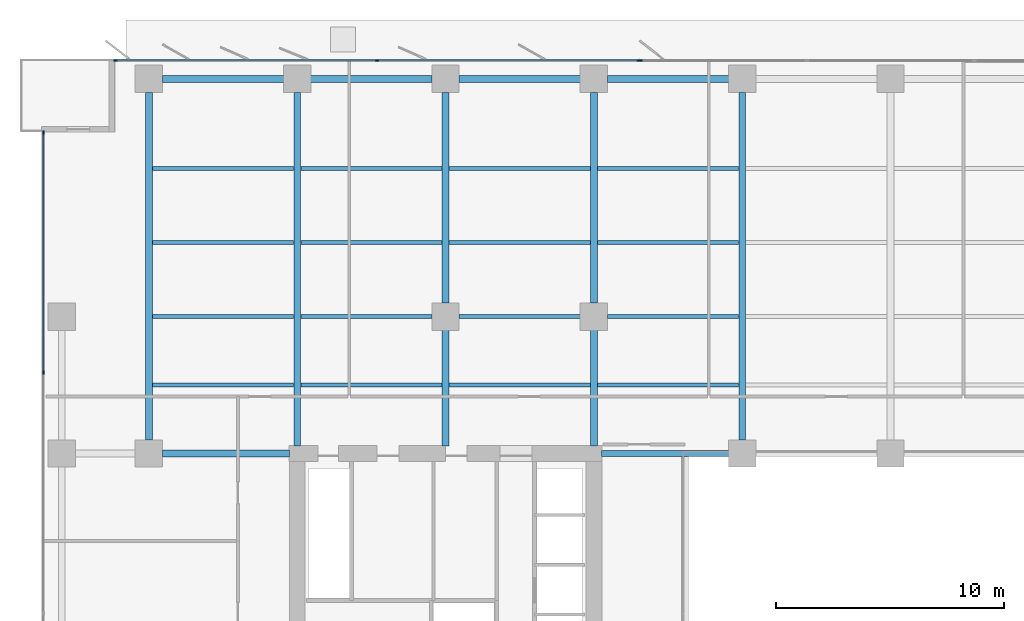
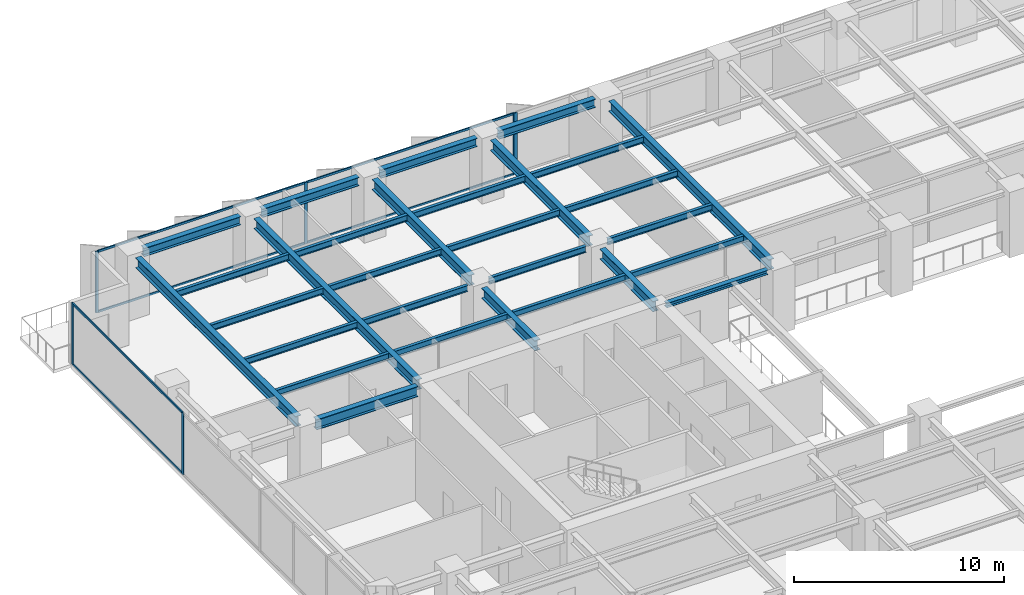
# One storey, part 7 of 19: 29 beams, 12 members, 3 elements without a shape of their own.
"""IFC4 building model written with IfcOpenShell, lengths in metres."""

import ifcopenshell
import ifcopenshell.guid

model = None  # the IFC model being written
_history = None  # IfcOwnerHistory: only IFC2X3 demands one
_inside = {}  # id of a spatial element -> (the spatial element, [elements in it])
_under = {}  # id of a project, library or spatial element -> (it, [spatial elements below it])
_declared = {}  # id of a project -> (the project, [libraries it declares])
_typed = {}  # id of a type object -> (the type object, [elements of that type])
_made_of = {}  # id of a material, layer set ... -> (it, [elements and type objects made of it])


def new_model(schema):
    """Start an empty IFC model of exactly this schema.

    Asked for "IFC4X3", IfcOpenShell would pick the latest addendum, in which some entities
    have other attributes; the version numbers below select the first issue.
    IFC2X3 requires an IfcOwnerHistory on every rooted entity: one is made here for all.
    """
    global model, _history
    if schema == "IFC4X3":
        model = ifcopenshell.file(schema_version=(4, 3, 0, 0))
    else:
        model = ifcopenshell.file(schema=schema)
    _inside.clear()
    _under.clear()
    _declared.clear()
    _typed.clear()
    _made_of.clear()
    _history = None
    if model.schema == "IFC2X3":
        org = make("IfcOrganization", Name="unknown")
        user = make(
            "IfcPersonAndOrganization",
            ThePerson=make("IfcPerson", FamilyName="unknown"),
            TheOrganization=org,
        )
        app = make(
            "IfcApplication",
            ApplicationDeveloper=org,
            Version="unknown",
            ApplicationFullName="unknown",
            ApplicationIdentifier="unknown",
        )
        _history = make(
            "IfcOwnerHistory",
            OwningUser=user,
            OwningApplication=app,
            ChangeAction="ADDED",
            CreationDate=0,
        )
    return model


def make(cls, **values):
    """One entity of the class cls with the attributes given. An attribute that is None is left unset."""
    return model.create_entity(
        cls, **{name: value for name, value in values.items() if value is not None}
    )


def rooted(cls, **values):
    """An entity with a GlobalId (a new one), such as an element, a storey or a relation."""
    return make(cls, GlobalId=ifcopenshell.guid.new(), OwnerHistory=_history, **values)


def si_unit(unit_type, name, prefix=None):
    """IfcSIUnit, for example si_unit("LENGTHUNIT", "METRE", prefix="MILLI")."""
    return make("IfcSIUnit", UnitType=unit_type, Prefix=prefix, Name=name)


def assignment(units):
    """IfcUnitAssignment: the units of a project."""
    return None if units is None else make("IfcUnitAssignment", Units=units)


def point(xyz):
    """IfcCartesianPoint."""
    return None if xyz is None else make("IfcCartesianPoint", Coordinates=xyz)


def direction(xyz):
    """IfcDirection."""
    return None if xyz is None else make("IfcDirection", DirectionRatios=xyz)


def frame(location, z_axis=None, x_axis=None):
    """IfcAxis2Placement3D, a coordinate frame: its origin and axes. An axis left out is left unset."""
    return make(
        "IfcAxis2Placement3D",
        Location=point(location),
        Axis=direction(z_axis),
        RefDirection=direction(x_axis),
    )


def frame_2d(location, x_axis=None):
    """IfcAxis2Placement2D, a coordinate frame in the plane: its origin and x axis."""
    return make(
        "IfcAxis2Placement2D", Location=point(location), RefDirection=direction(x_axis)
    )


def origin():
    """The frame at (0, 0, 0) with its axes left unset."""
    return frame((0.0, 0.0, 0.0))


def origin_2d():
    """The frame at (0, 0) in the plane with its x axis left unset."""
    return frame_2d((0.0, 0.0))


def place(relative_to, where):
    """IfcLocalPlacement: puts the frame where relative to a parent placement (None: the world)."""
    return make(
        "IfcLocalPlacement", PlacementRelTo=relative_to, RelativePlacement=where
    )


def context(
    kind, dimensions, precision=None, world=None, true_north=None, identifier=None
):
    """IfcGeometricRepresentationContext, for example the 3D "Model" context."""
    return make(
        "IfcGeometricRepresentationContext",
        ContextIdentifier=identifier,
        ContextType=kind,
        CoordinateSpaceDimension=dimensions,
        Precision=precision,
        WorldCoordinateSystem=world,
        TrueNorth=true_north,
    )


def subcontext(parent, identifier, kind, view, scale=None):
    """IfcGeometricRepresentationSubContext, for example "Body" below "Model"."""
    return make(
        "IfcGeometricRepresentationSubContext",
        ContextIdentifier=identifier,
        ContextType=kind,
        ParentContext=parent,
        TargetScale=scale,
        TargetView=view,
    )


def project(units=None, contexts=None):
    """IfcProject with its units and contexts."""
    return rooted(
        "IfcProject",
        Name="project",
        RepresentationContexts=contexts,
        UnitsInContext=assignment(units),
    )


def spatial(cls, under=None, at=None, **own):
    """A site, building, storey or space (cls), placed at a placement, below another one or the project."""
    s = rooted(cls, ObjectPlacement=at, **own)
    if under is not None:
        _under.setdefault(under.id(), (under, []))[1].append(s)
    return s


def profile(cls, at=None, kind="AREA", **sizes):
    """A parametric profile (cls). Its sizes go by their IFC names, for example OverallWidth=200.0."""
    return make(cls, ProfileType=kind, Position=at, **sizes)


def rectangle(**sizes):
    """IfcRectangleProfileDef."""
    return profile("IfcRectangleProfileDef", **sizes)


def i_section(**sizes):
    """IfcIShapeProfileDef."""
    return profile("IfcIShapeProfileDef", **sizes)


def extrude(swept, where, along, depth):
    """IfcExtrudedAreaSolid: the profile swept, set in the frame where, extruded along a direction by depth."""
    return make(
        "IfcExtrudedAreaSolid",
        SweptArea=swept,
        Position=where,
        ExtrudedDirection=direction(along),
        Depth=depth,
    )


def shape(context_of_items, identifier, shape_type, items):
    """IfcShapeRepresentation: the items that make up one representation, for example the "Body"."""
    return make(
        "IfcShapeRepresentation",
        ContextOfItems=context_of_items,
        RepresentationIdentifier=identifier,
        RepresentationType=shape_type,
        Items=items,
    )


def material(Name=None, Category=None):
    """IfcMaterial."""
    return make("IfcMaterial", Name=Name, Category=Category)


def layer(
    of_material, thickness, ventilated=None, Name=None, Category=None, Priority=None
):
    """IfcMaterialLayer: one layer of a wall or slab, of a material (None: an air gap)."""
    return make(
        "IfcMaterialLayer",
        Material=of_material,
        LayerThickness=thickness,
        IsVentilated=ventilated,
        Name=Name,
        Category=Category,
        Priority=Priority,
    )


def layer_set(layers, Name=None):
    """IfcMaterialLayerSet."""
    return make("IfcMaterialLayerSet", MaterialLayers=layers, LayerSetName=Name)


def material_profile(
    of_material, cross_section, Name=None, Category=None, Priority=None
):
    """IfcMaterialProfile: a cross section and its material."""
    return make(
        "IfcMaterialProfile",
        Name=Name,
        Material=of_material,
        Profile=cross_section,
        Priority=Priority,
        Category=Category,
    )


def profile_set(profiles, Name=None, composite=None):
    """IfcMaterialProfileSet."""
    return make(
        "IfcMaterialProfileSet",
        Name=Name,
        MaterialProfiles=profiles,
        CompositeProfile=composite,
    )


def made_of(thing, what):
    """Note that an element or type object is made of a material, layer set ...; save() writes the relation."""
    if what is not None:
        _made_of.setdefault(what.id(), (what, []))[1].append(thing)
    return thing


def type_object(cls, material=None, **own):
    """A type object (cls), such as IfcWallType, which elements share."""
    return made_of(rooted(cls, **own), material)


def element(
    cls,
    number,
    at=None,
    inside=None,
    cuts=None,
    type_object=None,
    material=None,
    context=None,
    identifier="Body",
    shape_type=None,
    held_by="IfcProductDefinitionShape",
    body=None,
    shapes=None,
    **own,
):
    """One element of the class cls, such as IfcWall. Its Tag is "e" and its number.

    at: its placement. inside: the storey or other place that contains it. cuts: it is an
    opening in that element (IfcRelVoidsElement). A single representation is given by context,
    identifier, shape_type and body (its items); several are given by shapes. held_by: the class
    of the entity that holds the representations. save() writes the other relations.
    """
    e = rooted(cls, Tag="e%d" % number, ObjectPlacement=at, **own)
    if body is not None:
        shapes = [shape(context, identifier, shape_type, body)]
    if shapes is not None:
        e.Representation = make(held_by, Representations=shapes)
    if inside is not None:
        _inside.setdefault(inside.id(), (inside, []))[1].append(e)
    if cuts is not None:
        rooted(
            "IfcRelVoidsElement", RelatingBuildingElement=cuts, RelatedOpeningElement=e
        )
    if type_object is not None:
        _typed.setdefault(type_object.id(), (type_object, []))[1].append(e)
    return made_of(e, material)


def aggregate(whole, parts):
    """IfcRelAggregates: a whole, such as a stair, and the parts it consists of."""
    return rooted("IfcRelAggregates", RelatingObject=whole, RelatedObjects=parts)


def save(model, path):
    """Write the relations noted so far, then the file.

    IfcRelAggregates (storeys below a building ...), IfcRelContainedInSpatialStructure (elements
    in a storey), IfcRelDefinesByType, IfcRelAssociatesMaterial and IfcRelDeclares: one each for
    every whole, place, type object, material and project.
    """
    for whole, parts in _under.values():
        aggregate(whole, parts)
    for where, things in _inside.values():
        rooted(
            "IfcRelContainedInSpatialStructure",
            RelatedElements=things,
            RelatingStructure=where,
        )
    for kind, things in _typed.values():
        rooted("IfcRelDefinesByType", RelatedObjects=things, RelatingType=kind)
    for what, things in _made_of.values():
        rooted("IfcRelAssociatesMaterial", RelatedObjects=things, RelatingMaterial=what)
    for by, libraries in _declared.values():
        rooted("IfcRelDeclares", RelatingContext=by, RelatedDefinitions=libraries)
    model.write(path)


model = new_model("IFC4")

# Units and contexts
model_context = context("Model", 3, precision=1e-05, world=origin(), true_north=direction((0.0, 1.0)))
body_context = subcontext(model_context, "Body", "Model", "MODEL_VIEW")
ifc_project = project(units=[si_unit("LENGTHUNIT", "METRE"), si_unit("AREAUNIT", "SQUARE_METRE"), si_unit("VOLUMEUNIT", "CUBIC_METRE"), si_unit("PLANEANGLEUNIT", "RADIAN"), si_unit("MASSUNIT", "GRAM", prefix="KILO")], contexts=[model_context])

# Site, building, storey
site_placement = place(None, origin())
site = spatial("IfcSite", under=ifc_project, at=site_placement, CompositionType="ELEMENT")
building_placement = place(site_placement, origin())
building = spatial("IfcBuilding", under=site, at=building_placement, Name="Putna Gate Headquarters", CompositionType="ELEMENT")
storey_placement = place(building_placement, frame((0.0, 0.0, 86.0)))
storey = spatial("IfcBuildingStorey", under=building, at=storey_placement, Name="L20", CompositionType="ELEMENT", Elevation=86.0)

# Beams
ifc_material_1 = material(Name="Steel S355J2", Category="steel")
ifc_material_profile_1 = material_profile(ifc_material_1, i_section(OverallWidth=0.260009765625, OverallDepth=0.260009765625, WebThickness=0.010009765625, FlangeThickness=0.017578125, at=origin_2d()), Name="Steel S355J2")
ifc_profile_set_1 = profile_set([ifc_material_profile_1], Name="Steel S355J2")
beam_type_1 = type_object("IfcBeamType", Name="BM-ATRIUM-HEB260", PredefinedType="BEAM", material=ifc_profile_set_1)
beam_1_placement = place(storey_placement, frame((26.3349609375, 33.0, 3.43505859375), z_axis=(1.0, 0.0, 0.0), x_axis=(0.0, 1.0, 0.0)))
element("IfcBeam", 1, at=beam_1_placement, inside=storey, type_object=beam_type_1, Name="L20 Atrium Edge Beam AN1", PredefinedType="BEAM", context=body_context, shape_type="SweptSolid", body=[
    extrude(i_section(OverallWidth=0.260009765625, OverallDepth=0.260009765625, WebThickness=0.010009765625, FlangeThickness=0.017578125, at=origin_2d()), origin(), (0.0, 0.0, 1.0), 5.5771484375),
])
ifc_material_profile_2 = material_profile(ifc_material_1, i_section(OverallWidth=0.300048828125, OverallDepth=0.60009765625, WebThickness=0.015380859375, FlangeThickness=0.030029296875, at=origin_2d()), Name="Steel S355J2")
ifc_profile_set_2 = profile_set([ifc_material_profile_2], Name="Steel S355J2")
beam_type_2 = type_object("IfcBeamType", Name="BM-GIRD-Z2-HEB600", PredefinedType="USERDEFINED", material=ifc_profile_set_2)
beam_2_placement = place(storey_placement, frame((7.087890625, 33.0, 3.264892578125), z_axis=(1.0, 0.0, 0.0), x_axis=(0.0, 1.0, 0.0)))
element("IfcBeam", 2, at=beam_2_placement, inside=storey, type_object=beam_type_2, Name="L20 West Wing Girder Y33-2", ObjectType="GIRDER", PredefinedType="USERDEFINED", context=body_context, shape_type="SweptSolid", body=[
    extrude(i_section(OverallWidth=0.300048828125, OverallDepth=0.60009765625, WebThickness=0.015380859375, FlangeThickness=0.030029296875, at=origin_2d()), origin(), (0.0, 0.0, 1.0), 5.5771484375),
])
beam_3_placement = place(storey_placement, frame((6.5, 33.587890625, 3.264892578125), z_axis=(0.0, 1.0, 0.0), x_axis=(-1.0, 0.0, 0.0)))
element("IfcBeam", 3, at=beam_3_placement, inside=storey, type_object=beam_type_2, Name="L20 North Primary Girder X6", ObjectType="GIRDER", PredefinedType="USERDEFINED", context=body_context, shape_type="SweptSolid", body=[
    extrude(i_section(OverallWidth=0.300048828125, OverallDepth=0.60009765625, WebThickness=0.015380859375, FlangeThickness=0.030029296875, at=origin_2d()), origin(), (0.0, 0.0, 1.0), 15.244140625),
])
beam_4_placement = place(storey_placement, frame((13.0, 33.3349609375, 3.264892578125), z_axis=(0.0, 1.0, 0.0), x_axis=(-1.0, 0.0, 0.0)))
element("IfcBeam", 4, at=beam_4_placement, inside=storey, type_object=beam_type_2, Name="L20 North Primary Girder X13", ObjectType="GIRDER", PredefinedType="USERDEFINED", context=body_context, shape_type="SweptSolid", body=[
    extrude(i_section(OverallWidth=0.300048828125, OverallDepth=0.60009765625, WebThickness=0.015380859375, FlangeThickness=0.030029296875, at=origin_2d()), origin(), (0.0, 0.0, 1.0), 15.4970703125),
])
beam_5_placement = place(storey_placement, frame((19.5, 33.3349609375, 3.264892578125), z_axis=(0.0, 1.0, 0.0), x_axis=(-1.0, 0.0, 0.0)))
element("IfcBeam", 5, at=beam_5_placement, inside=storey, type_object=beam_type_2, Name="L20 North Primary Girder X19-1", ObjectType="GIRDER", PredefinedType="USERDEFINED", context=body_context, shape_type="SweptSolid", body=[
    extrude(i_section(OverallWidth=0.300048828125, OverallDepth=0.60009765625, WebThickness=0.015380859375, FlangeThickness=0.030029296875, at=origin_2d()), origin(), (0.0, 0.0, 1.0), 5.0771484375),
])
beam_6_placement = place(storey_placement, frame((19.5, 39.587890625, 3.264892578125), z_axis=(0.0, 1.0, 0.0), x_axis=(-1.0, 0.0, 0.0)))
element("IfcBeam", 6, at=beam_6_placement, inside=storey, type_object=beam_type_2, Name="L20 North Primary Girder X19-2", ObjectType="GIRDER", PredefinedType="USERDEFINED", context=body_context, shape_type="SweptSolid", body=[
    extrude(i_section(OverallWidth=0.300048828125, OverallDepth=0.60009765625, WebThickness=0.015380859375, FlangeThickness=0.030029296875, at=origin_2d()), origin(), (0.0, 0.0, 1.0), 9.244140625),
])
beam_7_placement = place(storey_placement, frame((26.0, 33.3349609375, 3.264892578125), z_axis=(0.0, 1.0, 0.0), x_axis=(-1.0, 0.0, 0.0)))
element("IfcBeam", 7, at=beam_7_placement, inside=storey, type_object=beam_type_2, Name="L20 North Primary Girder X26-1", ObjectType="GIRDER", PredefinedType="USERDEFINED", context=body_context, shape_type="SweptSolid", body=[
    extrude(i_section(OverallWidth=0.300048828125, OverallDepth=0.60009765625, WebThickness=0.015380859375, FlangeThickness=0.030029296875, at=origin_2d()), origin(), (0.0, 0.0, 1.0), 5.0771484375),
])
beam_8_placement = place(storey_placement, frame((26.0, 39.587890625, 3.264892578125), z_axis=(0.0, 1.0, 0.0), x_axis=(-1.0, 0.0, 0.0)))
element("IfcBeam", 8, at=beam_8_placement, inside=storey, type_object=beam_type_2, Name="L20 North Primary Girder X26-2", ObjectType="GIRDER", PredefinedType="USERDEFINED", context=body_context, shape_type="SweptSolid", body=[
    extrude(i_section(OverallWidth=0.300048828125, OverallDepth=0.60009765625, WebThickness=0.015380859375, FlangeThickness=0.030029296875, at=origin_2d()), origin(), (0.0, 0.0, 1.0), 9.244140625),
])
beam_9_placement = place(storey_placement, frame((32.5, 33.587890625, 3.264892578125), z_axis=(0.0, 1.0, 0.0), x_axis=(-1.0, 0.0, 0.0)))
element("IfcBeam", 9, at=beam_9_placement, inside=storey, type_object=beam_type_2, Name="L20 North Primary Girder X32", ObjectType="GIRDER", PredefinedType="USERDEFINED", context=body_context, shape_type="SweptSolid", body=[
    extrude(i_section(OverallWidth=0.300048828125, OverallDepth=0.60009765625, WebThickness=0.015380859375, FlangeThickness=0.030029296875, at=origin_2d()), origin(), (0.0, 0.0, 1.0), 15.244140625),
])
ifc_material_profile_3 = material_profile(ifc_material_1, i_section(OverallWidth=0.169921875, OverallDepth=0.360107421875, WebThickness=0.008056640625, FlangeThickness=0.0126953125, at=origin_2d()), Name="Steel S355J2")
ifc_profile_set_3 = profile_set([ifc_material_profile_3], Name="Steel S355J2")
beam_type_3 = type_object("IfcBeamType", Name="BM-SEC-Z2-IPE360", PredefinedType="BEAM", material=ifc_profile_set_3)
for number, where, z_axis, x_axis, name in (
    (10, (6.654052734375, 36.0, 3.385009765625), (1.0, 0.0, 0.0), (0.0, 1.0, 0.0), "L20 North Secondary Beam 1"),
    (11, (6.654052734375, 39.0, 3.385009765625), (1.0, 0.0, 0.0), (0.0, 1.0, 0.0), "L20 North Secondary Beam 1"),
    (12, (6.654052734375, 42.25, 3.385009765625), (1.0, 0.0, 0.0), (0.0, 1.0, 0.0), "L20 North Secondary Beam 1"),
    (13, (6.654052734375, 45.5, 3.385009765625), (1.0, 0.0, 0.0), (0.0, 1.0, 0.0), "L20 North Secondary Beam 1"),
    (14, (13.154052734375, 36.0, 3.385009765625), (1.0, 0.0, 0.0), (0.0, 1.0, 0.0), "L20 North Secondary Beam 2"),
):
    element("IfcBeam", number, at=place(storey_placement, frame(where, z_axis=z_axis, x_axis=x_axis)), inside=storey, type_object=beam_type_3, Name=name, PredefinedType="BEAM", context=body_context, shape_type="SweptSolid", body=[
        extrude(i_section(OverallWidth=0.169921875, OverallDepth=0.360107421875, WebThickness=0.008056640625, FlangeThickness=0.0126953125, at=origin_2d()), origin(), (0.0, 0.0, 1.0), 6.19189453125),
    ])
beam_10_placement = place(storey_placement, frame((13.154052734375, 39.0, 3.385009765625), z_axis=(1.0, 0.0, 0.0), x_axis=(0.0, 1.0, 0.0)))
element("IfcBeam", 15, at=beam_10_placement, inside=storey, type_object=beam_type_3, Name="L20 North Secondary Beam 2", PredefinedType="BEAM", context=body_context, shape_type="SweptSolid", body=[
    extrude(i_section(OverallWidth=0.169921875, OverallDepth=0.360107421875, WebThickness=0.008056640625, FlangeThickness=0.0126953125, at=origin_2d()), origin(), (0.0, 0.0, 1.0), 5.758056640625),
])
for number, where, z_axis, x_axis, name in (
    (16, (13.154052734375, 42.25, 3.385009765625), (1.0, 0.0, 0.0), (0.0, 1.0, 0.0), "L20 North Secondary Beam 2"),
    (17, (13.154052734375, 45.5, 3.385009765625), (1.0, 0.0, 0.0), (0.0, 1.0, 0.0), "L20 North Secondary Beam 2"),
    (18, (19.654052734375, 36.0, 3.385009765625), (1.0, 0.0, 0.0), (0.0, 1.0, 0.0), "L20 North Secondary Beam 3"),
):
    element("IfcBeam", number, at=place(storey_placement, frame(where, z_axis=z_axis, x_axis=x_axis)), inside=storey, type_object=beam_type_3, Name=name, PredefinedType="BEAM", context=body_context, shape_type="SweptSolid", body=[
        extrude(i_section(OverallWidth=0.169921875, OverallDepth=0.360107421875, WebThickness=0.008056640625, FlangeThickness=0.0126953125, at=origin_2d()), origin(), (0.0, 0.0, 1.0), 6.19189453125),
    ])
beam_11_placement = place(storey_placement, frame((20.087890625, 39.0, 3.385009765625), z_axis=(1.0, 0.0, 0.0), x_axis=(0.0, 1.0, 0.0)))
element("IfcBeam", 19, at=beam_11_placement, inside=storey, type_object=beam_type_3, Name="L20 North Secondary Beam 3", PredefinedType="BEAM", context=body_context, shape_type="SweptSolid", body=[
    extrude(i_section(OverallWidth=0.169921875, OverallDepth=0.360107421875, WebThickness=0.008056640625, FlangeThickness=0.0126953125, at=origin_2d()), origin(), (0.0, 0.0, 1.0), 5.32421875),
])
for number, where, z_axis, x_axis, name in (
    (20, (19.654052734375, 42.25, 3.385009765625), (1.0, 0.0, 0.0), (0.0, 1.0, 0.0), "L20 North Secondary Beam 3"),
    (21, (19.654052734375, 45.5, 3.385009765625), (1.0, 0.0, 0.0), (0.0, 1.0, 0.0), "L20 North Secondary Beam 3"),
    (22, (26.154052734375, 36.0, 3.385009765625), (1.0, 0.0, 0.0), (0.0, 1.0, 0.0), "L20 North Secondary Beam 4"),
):
    element("IfcBeam", number, at=place(storey_placement, frame(where, z_axis=z_axis, x_axis=x_axis)), inside=storey, type_object=beam_type_3, Name=name, PredefinedType="BEAM", context=body_context, shape_type="SweptSolid", body=[
        extrude(i_section(OverallWidth=0.169921875, OverallDepth=0.360107421875, WebThickness=0.008056640625, FlangeThickness=0.0126953125, at=origin_2d()), origin(), (0.0, 0.0, 1.0), 6.19189453125),
    ])
beam_12_placement = place(storey_placement, frame((26.587890625, 39.0, 3.385009765625), z_axis=(1.0, 0.0, 0.0), x_axis=(0.0, 1.0, 0.0)))
element("IfcBeam", 23, at=beam_12_placement, inside=storey, type_object=beam_type_3, Name="L20 North Secondary Beam 4", PredefinedType="BEAM", context=body_context, shape_type="SweptSolid", body=[
    extrude(i_section(OverallWidth=0.169921875, OverallDepth=0.360107421875, WebThickness=0.008056640625, FlangeThickness=0.0126953125, at=origin_2d()), origin(), (0.0, 0.0, 1.0), 5.758056640625),
])
for number, where, z_axis, x_axis, name in (
    (24, (26.154052734375, 42.25, 3.385009765625), (1.0, 0.0, 0.0), (0.0, 1.0, 0.0), "L20 North Secondary Beam 4"),
    (25, (26.154052734375, 45.5, 3.385009765625), (1.0, 0.0, 0.0), (0.0, 1.0, 0.0), "L20 North Secondary Beam 4"),
):
    element("IfcBeam", number, at=place(storey_placement, frame(where, z_axis=z_axis, x_axis=x_axis)), inside=storey, type_object=beam_type_3, Name=name, PredefinedType="BEAM", context=body_context, shape_type="SweptSolid", body=[
        extrude(i_section(OverallWidth=0.169921875, OverallDepth=0.360107421875, WebThickness=0.008056640625, FlangeThickness=0.0126953125, at=origin_2d()), origin(), (0.0, 0.0, 1.0), 6.19189453125),
    ])
ifc_material_profile_4 = material_profile(ifc_material_1, i_section(OverallWidth=0.300048828125, OverallDepth=0.489990234375, WebThickness=0.011962890625, FlangeThickness=0.02294921875, at=origin_2d()), Name="Steel S355J2")
ifc_profile_set_4 = profile_set([ifc_material_profile_4], Name="Steel S355J2")
beam_type_4 = type_object("IfcBeamType", Name="BM-SPAN-Z2-HEA500", PredefinedType="SPANDREL", material=ifc_profile_set_4)
for number, where, z_axis, x_axis, name in (
    (26, (7.087890625, 49.419921875, 3.320068359375), (1.0, 0.0, 0.0), (0.0, 1.0, 0.0), "L20 N Perimeter Spandrel 1"),
    (27, (13.587890625, 49.419921875, 3.320068359375), (1.0, 0.0, 0.0), (0.0, 1.0, 0.0), "L20 N Perimeter Spandrel 2"),
    (28, (20.087890625, 49.419921875, 3.320068359375), (1.0, 0.0, 0.0), (0.0, 1.0, 0.0), "L20 N Perimeter Spandrel 3"),
    (29, (26.587890625, 49.419921875, 3.320068359375), (1.0, 0.0, 0.0), (0.0, 1.0, 0.0), "L20 N Perimeter Spandrel 4"),
):
    element("IfcBeam", number, at=place(storey_placement, frame(where, z_axis=z_axis, x_axis=x_axis)), inside=storey, type_object=beam_type_4, Name=name, PredefinedType="SPANDREL", context=body_context, shape_type="SweptSolid", body=[
        extrude(i_section(OverallWidth=0.300048828125, OverallDepth=0.489990234375, WebThickness=0.011962890625, FlangeThickness=0.02294921875, at=origin_2d()), origin(), (0.0, 0.0, 1.0), 5.32421875),
    ])

# Curtain wall, members
ifc_material_2 = material(Name="Anodised bronze aluminium curtain wall", Category="aluminium")
ifc_layer_1 = layer(ifc_material_2, 0.159912109375)
ifc_layer_set_1 = layer_set([ifc_layer_1], Name="Anodised bronze aluminium curtain wall")
curtain_wall_type_1 = type_object("IfcCurtainWallType", Name="CW-SYS-Z2", PredefinedType="USERDEFINED", material=ifc_layer_set_1)
curtain_wall_1_placement = place(storey_placement, origin())
curtain_wall_1 = element("IfcCurtainWall", 30, at=curtain_wall_1_placement, inside=storey, type_object=curtain_wall_type_1, Name="L20 North West Curtain Wall", ObjectType="STICK CURTAIN WALL", PredefinedType="USERDEFINED")
ifc_material_3 = material(Name="Anodised bronze aluminium EN AW-6060", Category="aluminium")
ifc_material_profile_5 = material_profile(ifc_material_3, rectangle(XDim=0.06494140625, YDim=0.159912109375, at=origin_2d()), Name="Anodised bronze aluminium EN AW-6060")
ifc_profile_set_5 = profile_set([ifc_material_profile_5], Name="Anodised bronze aluminium EN AW-6060")
member_type_1 = type_object("IfcMemberType", Name="MULL-CWM-2", PredefinedType="MULLION", material=ifc_profile_set_5)
member_1_placement = place(storey_placement, frame((5.032470703125, 50.219970703125, 0.0), z_axis=(0.0, 0.0, 1.0), x_axis=(0.0, 1.0, 0.0)))
member_1 = element("IfcMember", 31, at=member_1_placement, type_object=member_type_1, Name="CWS-2 mullion 1", PredefinedType="MULLION", context=body_context, shape_type="SweptSolid", body=[
    extrude(rectangle(XDim=0.06494140625, YDim=0.159912109375, at=origin_2d()), origin(), (0.0, 0.0, 1.0), 3.56494140625),
])
member_2_placement = place(storey_placement, frame((16.5, 50.219970703125, 0.0), z_axis=(0.0, 0.0, 1.0), x_axis=(0.0, 1.0, 0.0)))
member_2 = element("IfcMember", 32, at=member_2_placement, type_object=member_type_1, Name="CWS-2 mullion 2", PredefinedType="MULLION", context=body_context, shape_type="SweptSolid", body=[
    extrude(rectangle(XDim=0.06494140625, YDim=0.159912109375, at=origin_2d()), origin(), (0.0, 0.0, 1.0), 3.56494140625),
])
member_3_placement = place(storey_placement, frame((27.967529296875, 50.219970703125, 0.0), z_axis=(0.0, 0.0, 1.0), x_axis=(0.0, 1.0, 0.0)))
member_3 = element("IfcMember", 33, at=member_3_placement, type_object=member_type_1, Name="CWS-2 mullion 3", PredefinedType="MULLION", context=body_context, shape_type="SweptSolid", body=[
    extrude(rectangle(XDim=0.06494140625, YDim=0.159912109375, at=origin_2d()), origin(), (0.0, 0.0, 1.0), 3.56494140625),
])

curtain_wall_2_placement = place(storey_placement, origin())
curtain_wall_2 = element("IfcCurtainWall", 34, at=curtain_wall_2_placement, inside=storey, type_object=curtain_wall_type_1, Name="L20 West Curtain Wall", ObjectType="STICK CURTAIN WALL", PredefinedType="USERDEFINED")
member_4_placement = place(storey_placement, frame((1.8798828125, 36.550048828125, 0.0), z_axis=(0.0, 0.0, 1.0), x_axis=(-1.0, 0.0, 0.0)))
member_4 = element("IfcMember", 35, at=member_4_placement, type_object=member_type_1, Name="CWS-2 mullion 4", PredefinedType="MULLION", context=body_context, shape_type="SweptSolid", body=[
    extrude(rectangle(XDim=0.06494140625, YDim=0.159912109375, at=origin_2d()), origin(), (0.0, 0.0, 1.0), 3.56494140625),
])
member_5_placement = place(storey_placement, frame((1.8798828125, 47.0673828125, 0.0), z_axis=(0.0, 0.0, 1.0), x_axis=(-1.0, 0.0, 0.0)))
member_5 = element("IfcMember", 36, at=member_5_placement, type_object=member_type_1, Name="CWS-2 mullion 5", PredefinedType="MULLION", context=body_context, shape_type="SweptSolid", body=[
    extrude(rectangle(XDim=0.06494140625, YDim=0.159912109375, at=origin_2d()), origin(), (0.0, 0.0, 1.0), 3.56494140625),
])

# Curtain wall, member
ifc_layer_2 = layer(ifc_material_2, 0.179931640625)
ifc_layer_set_2 = layer_set([ifc_layer_2], Name="Anodised bronze aluminium curtain wall")
curtain_wall_type_2 = type_object("IfcCurtainWallType", Name="CW-SYS-ATR", PredefinedType="USERDEFINED", material=ifc_layer_set_2)
curtain_wall_3_placement = place(storey_placement, origin())
curtain_wall_3 = element("IfcCurtainWall", 37, at=curtain_wall_3_placement, inside=storey, type_object=curtain_wall_type_2, Name="L20 North Atrium Clear Glazing", ObjectType="ATRIUM GLAZING", PredefinedType="USERDEFINED")
ifc_material_profile_6 = material_profile(ifc_material_3, rectangle(XDim=0.070068359375, YDim=0.179931640625, at=origin_2d()), Name="Anodised bronze aluminium EN AW-6060")
ifc_profile_set_6 = profile_set([ifc_material_profile_6], Name="Anodised bronze aluminium EN AW-6060")
member_type_2 = type_object("IfcMemberType", Name="MULL-CWM-AT", PredefinedType="MULLION", material=ifc_profile_set_6)
member_6_placement = place(storey_placement, frame((28.034912109375, 50.219970703125, 0.0), z_axis=(0.0, 0.0, 1.0), x_axis=(0.0, 1.0, 0.0)))
member_6 = element("IfcMember", 38, at=member_6_placement, type_object=member_type_2, Name="CWS-AT mullion 1", PredefinedType="MULLION", context=body_context, shape_type="SweptSolid", body=[
    extrude(rectangle(XDim=0.070068359375, YDim=0.179931640625, at=origin_2d()), origin(), (0.0, 0.0, 1.0), 3.56494140625),
])
aggregate(curtain_wall_3, [member_6])

# Member
ifc_material_profile_7 = material_profile(ifc_material_3, rectangle(XDim=0.06494140625, YDim=0.1201171875, at=origin_2d()), Name="Anodised bronze aluminium EN AW-6060")
ifc_profile_set_7 = profile_set([ifc_material_profile_7], Name="Anodised bronze aluminium EN AW-6060")
member_type_3 = type_object("IfcMemberType", Name="TRAN-CWT-2", PredefinedType="USERDEFINED", material=ifc_profile_set_7)
member_7_placement = place(storey_placement, frame((5.06494140625, 50.219970703125, 0.032470703125), z_axis=(1.0, 0.0, 0.0), x_axis=(0.0, 1.0, 0.0)))
member_7 = element("IfcMember", 39, at=member_7_placement, type_object=member_type_3, Name="CWS-2 transom 1.1", ObjectType="TRANSOM", PredefinedType="USERDEFINED", context=body_context, shape_type="SweptSolid", body=[
    extrude(rectangle(XDim=0.06494140625, YDim=0.1201171875, at=origin_2d()), origin(), (0.0, 0.0, 1.0), 11.402587890625),
])

member_8_placement = place(storey_placement, frame((5.06494140625, 50.219970703125, 3.532470703125), z_axis=(1.0, 0.0, 0.0), x_axis=(0.0, 1.0, 0.0)))
member_8 = element("IfcMember", 40, at=member_8_placement, type_object=member_type_3, Name="CWS-2 transom 1.2", ObjectType="TRANSOM", PredefinedType="USERDEFINED", context=body_context, shape_type="SweptSolid", body=[
    extrude(rectangle(XDim=0.06494140625, YDim=0.1201171875, at=origin_2d()), origin(), (0.0, 0.0, 1.0), 11.402587890625),
])

member_9_placement = place(storey_placement, frame((16.532470703125, 50.219970703125, 0.032470703125), z_axis=(1.0, 0.0, 0.0), x_axis=(0.0, 1.0, 0.0)))
member_9 = element("IfcMember", 41, at=member_9_placement, type_object=member_type_3, Name="CWS-2 transom 2.1", ObjectType="TRANSOM", PredefinedType="USERDEFINED", context=body_context, shape_type="SweptSolid", body=[
    extrude(rectangle(XDim=0.06494140625, YDim=0.1201171875, at=origin_2d()), origin(), (0.0, 0.0, 1.0), 11.402587890625),
])

member_10_placement = place(storey_placement, frame((16.532470703125, 50.219970703125, 3.532470703125), z_axis=(1.0, 0.0, 0.0), x_axis=(0.0, 1.0, 0.0)))
member_10 = element("IfcMember", 42, at=member_10_placement, type_object=member_type_3, Name="CWS-2 transom 2.2", ObjectType="TRANSOM", PredefinedType="USERDEFINED", context=body_context, shape_type="SweptSolid", body=[
    extrude(rectangle(XDim=0.06494140625, YDim=0.1201171875, at=origin_2d()), origin(), (0.0, 0.0, 1.0), 11.402587890625),
])

aggregate(curtain_wall_1, [member_1, member_2, member_3, member_7, member_8, member_9, member_10])

member_11_placement = place(storey_placement, frame((1.8798828125, 36.58251953125, 0.032470703125), z_axis=(0.0, 1.0, 0.0), x_axis=(-1.0, 0.0, 0.0)))
member_11 = element("IfcMember", 43, at=member_11_placement, type_object=member_type_3, Name="CWS-2 transom 4.1", ObjectType="TRANSOM", PredefinedType="USERDEFINED", context=body_context, shape_type="SweptSolid", body=[
    extrude(rectangle(XDim=0.06494140625, YDim=0.1201171875, at=origin_2d()), origin(), (0.0, 0.0, 1.0), 10.452392578125),
])

member_12_placement = place(storey_placement, frame((1.8798828125, 36.58251953125, 3.532470703125), z_axis=(0.0, 1.0, 0.0), x_axis=(-1.0, 0.0, 0.0)))
member_12 = element("IfcMember", 44, at=member_12_placement, type_object=member_type_3, Name="CWS-2 transom 4.2", ObjectType="TRANSOM", PredefinedType="USERDEFINED", context=body_context, shape_type="SweptSolid", body=[
    extrude(rectangle(XDim=0.06494140625, YDim=0.1201171875, at=origin_2d()), origin(), (0.0, 0.0, 1.0), 10.452392578125),
])

aggregate(curtain_wall_2, [member_4, member_5, member_11, member_12])

save(model, "model.ifc")
